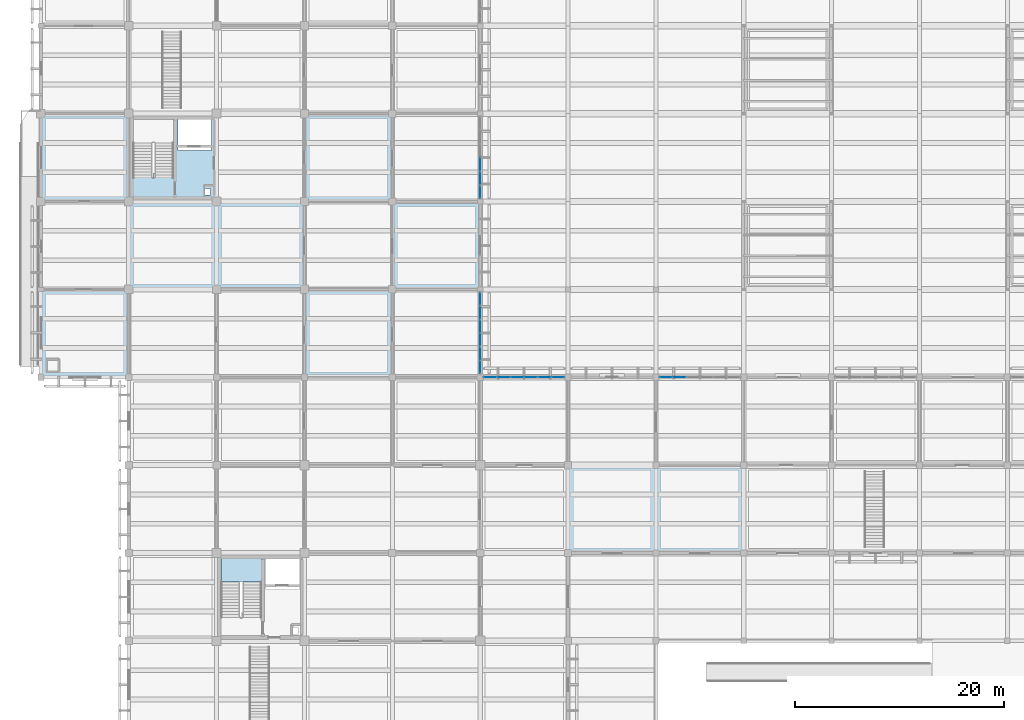
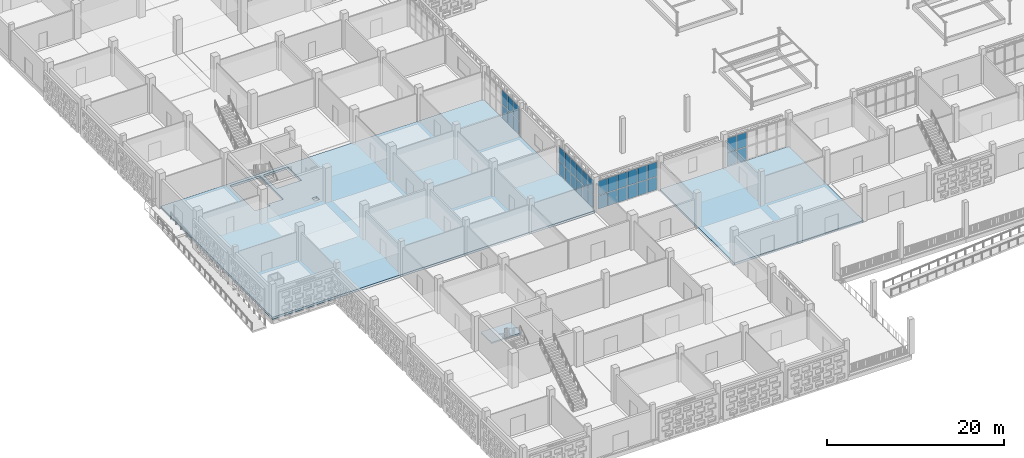
# One storey, part 45 of 129: 34 plates, 3 slabs, 5 elements without a shape of their own.
"""IFC4 building model written with IfcOpenShell, lengths in metres."""

from ifc_helpers import new_model, si_unit, direction, frame, origin, origin_2d, place, context, subcontext, project, spatial, polyline, rectangle, outline, extrude, material, layer, layer_set, type_object, element, aggregate, save


model = new_model("IFC4")

# Units and contexts
model_context = context("Model", 3, precision=1e-05, world=origin(), true_north=direction((0.0, 1.0)))
body_context = subcontext(model_context, "Body", "Model", "MODEL_VIEW")
ifc_project = project(units=[si_unit("LENGTHUNIT", "METRE"), si_unit("AREAUNIT", "SQUARE_METRE"), si_unit("VOLUMEUNIT", "CUBIC_METRE"), si_unit("PLANEANGLEUNIT", "RADIAN"), si_unit("MASSUNIT", "GRAM", prefix="KILO")], contexts=[model_context])

# Site, building, storey
site_placement = place(None, origin())
site = spatial("IfcSite", under=ifc_project, at=site_placement, CompositionType="ELEMENT")
building_placement = place(site_placement, origin())
building = spatial("IfcBuilding", under=site, at=building_placement, Name="Varnapada Polytechnic", CompositionType="ELEMENT")
storey_placement = place(building_placement, origin())
storey = spatial("IfcBuildingStorey", under=building, at=storey_placement, Name="L00", CompositionType="ELEMENT", Elevation=0.0)

# Curtain wall, plates
ifc_material_1 = material(Name="Double low-E laminated glass", Category="glass")
ifc_layer_1 = layer(ifc_material_1, 0.159912109375)
ifc_layer_set_1 = layer_set([ifc_layer_1], Name="Double low-E laminated glass")
curtain_wall_type = type_object("IfcCurtainWallType", Name="Curtain Wall CW-01", PredefinedType="NOTDEFINED", material=ifc_layer_set_1)
curtain_wall_1_placement = place(storey_placement, origin())
curtain_wall_1 = element("IfcCurtainWall", 1, at=curtain_wall_1_placement, inside=storey, type_object=curtain_wall_type, Name="L00 unitised curtain wall CW-01 (1)", PredefinedType="NOTDEFINED")
ifc_layer_2 = layer(ifc_material_1, 0.028076171875)
ifc_layer_set_2 = layer_set([ifc_layer_2], Name="Double low-E laminated glass")
plate_type = type_object("IfcPlateType", Name="Curtain Panel PNL-01", PredefinedType="CURTAIN_PANEL", material=ifc_layer_set_2)
plate_1_placement = place(storey_placement, frame((42.0, 49.480712890625, 0.06005859375), z_axis=(0.0, 0.0, 1.0), x_axis=(0.0, -1.0, 0.0)))
plate_1 = element("IfcPlate", 2, at=plate_1_placement, type_object=plate_type, Name="CW-01 panel 1.1", PredefinedType="CURTAIN_PANEL", context=body_context, shape_type="SweptSolid", body=[
    extrude(rectangle(XDim=1.21826171875, YDim=0.028076171875, at=origin_2d()), origin(), (0.0, 0.0, 1.0), 1.810791015625),
])
plate_2_placement = place(storey_placement, frame((42.0, 49.480712890625, 1.9306640625), z_axis=(0.0, 0.0, 1.0), x_axis=(0.0, -1.0, 0.0)))
plate_2 = element("IfcPlate", 3, at=plate_2_placement, type_object=plate_type, Name="CW-01 panel 1.2", PredefinedType="CURTAIN_PANEL", context=body_context, shape_type="SweptSolid", body=[
    extrude(rectangle(XDim=1.21826171875, YDim=0.028076171875, at=origin_2d()), origin(), (0.0, 0.0, 1.0), 1.96923828125),
])
plate_3_placement = place(storey_placement, frame((42.0, 48.1875, 0.06005859375), z_axis=(0.0, 0.0, 1.0), x_axis=(0.0, -1.0, 0.0)))
plate_3 = element("IfcPlate", 4, at=plate_3_placement, type_object=plate_type, Name="CW-01 panel 2.1", PredefinedType="CURTAIN_PANEL", context=body_context, shape_type="SweptSolid", body=[
    extrude(rectangle(XDim=1.248291015625, YDim=0.028076171875, at=origin_2d()), origin(), (0.0, 0.0, 1.0), 1.810791015625),
])
plate_4_placement = place(storey_placement, frame((42.0, 48.1875, 1.9306640625), z_axis=(0.0, 0.0, 1.0), x_axis=(0.0, -1.0, 0.0)))
plate_4 = element("IfcPlate", 5, at=plate_4_placement, type_object=plate_type, Name="CW-01 panel 2.2", PredefinedType="CURTAIN_PANEL", context=body_context, shape_type="SweptSolid", body=[
    extrude(rectangle(XDim=1.248291015625, YDim=0.028076171875, at=origin_2d()), origin(), (0.0, 0.0, 1.0), 1.96923828125),
])
plate_5_placement = place(storey_placement, frame((42.0, 46.879150390625, 0.06005859375), z_axis=(0.0, 0.0, 1.0), x_axis=(0.0, -1.0, 0.0)))
plate_5 = element("IfcPlate", 6, at=plate_5_placement, type_object=plate_type, Name="CW-01 panel 3.1", PredefinedType="CURTAIN_PANEL", context=body_context, shape_type="SweptSolid", body=[
    extrude(rectangle(XDim=1.248291015625, YDim=0.028076171875, at=origin_2d()), origin(), (0.0, 0.0, 1.0), 1.810791015625),
])
plate_6_placement = place(storey_placement, frame((42.0, 46.879150390625, 1.9306640625), z_axis=(0.0, 0.0, 1.0), x_axis=(0.0, -1.0, 0.0)))
plate_6 = element("IfcPlate", 7, at=plate_6_placement, type_object=plate_type, Name="CW-01 panel 3.2", PredefinedType="CURTAIN_PANEL", context=body_context, shape_type="SweptSolid", body=[
    extrude(rectangle(XDim=1.248291015625, YDim=0.028076171875, at=origin_2d()), origin(), (0.0, 0.0, 1.0), 1.96923828125),
])
plate_7_placement = place(storey_placement, frame((42.0, 45.57080078125, 0.06005859375), z_axis=(0.0, 0.0, 1.0), x_axis=(0.0, -1.0, 0.0)))
plate_7 = element("IfcPlate", 8, at=plate_7_placement, type_object=plate_type, Name="CW-01 panel 4.1", PredefinedType="CURTAIN_PANEL", context=body_context, shape_type="SweptSolid", body=[
    extrude(rectangle(XDim=1.248291015625, YDim=0.028076171875, at=origin_2d()), origin(), (0.0, 0.0, 1.0), 1.810791015625),
])
plate_8_placement = place(storey_placement, frame((42.0, 45.57080078125, 1.9306640625), z_axis=(0.0, 0.0, 1.0), x_axis=(0.0, -1.0, 0.0)))
plate_8 = element("IfcPlate", 9, at=plate_8_placement, type_object=plate_type, Name="CW-01 panel 4.2", PredefinedType="CURTAIN_PANEL", context=body_context, shape_type="SweptSolid", body=[
    extrude(rectangle(XDim=1.248291015625, YDim=0.028076171875, at=origin_2d()), origin(), (0.0, 0.0, 1.0), 1.96923828125),
])
plate_9_placement = place(storey_placement, frame((42.0, 44.262451171875, 0.06005859375), z_axis=(0.0, 0.0, 1.0), x_axis=(0.0, -1.0, 0.0)))
plate_9 = element("IfcPlate", 10, at=plate_9_placement, type_object=plate_type, Name="CW-01 panel 5.1", PredefinedType="CURTAIN_PANEL", context=body_context, shape_type="SweptSolid", body=[
    extrude(rectangle(XDim=1.248291015625, YDim=0.028076171875, at=origin_2d()), origin(), (0.0, 0.0, 1.0), 1.810791015625),
])
plate_10_placement = place(storey_placement, frame((42.0, 44.262451171875, 1.9306640625), z_axis=(0.0, 0.0, 1.0), x_axis=(0.0, -1.0, 0.0)))
plate_10 = element("IfcPlate", 11, at=plate_10_placement, type_object=plate_type, Name="CW-01 panel 5.2", PredefinedType="CURTAIN_PANEL", context=body_context, shape_type="SweptSolid", body=[
    extrude(rectangle(XDim=1.248291015625, YDim=0.028076171875, at=origin_2d()), origin(), (0.0, 0.0, 1.0), 1.96923828125),
])
plate_11_placement = place(storey_placement, frame((42.0, 42.96923828125, 0.06005859375), z_axis=(0.0, 0.0, 1.0), x_axis=(0.0, -1.0, 0.0)))
plate_11 = element("IfcPlate", 12, at=plate_11_placement, type_object=plate_type, Name="CW-01 panel 6.1", PredefinedType="CURTAIN_PANEL", context=body_context, shape_type="SweptSolid", body=[
    extrude(rectangle(XDim=1.21826171875, YDim=0.028076171875, at=origin_2d()), origin(), (0.0, 0.0, 1.0), 1.810791015625),
])
plate_12_placement = place(storey_placement, frame((42.0, 42.96923828125, 1.9306640625), z_axis=(0.0, 0.0, 1.0), x_axis=(0.0, -1.0, 0.0)))
plate_12 = element("IfcPlate", 13, at=plate_12_placement, type_object=plate_type, Name="CW-01 panel 6.2", PredefinedType="CURTAIN_PANEL", context=body_context, shape_type="SweptSolid", body=[
    extrude(rectangle(XDim=1.21826171875, YDim=0.028076171875, at=origin_2d()), origin(), (0.0, 0.0, 1.0), 1.96923828125),
])
aggregate(curtain_wall_1, [plate_1, plate_2, plate_3, plate_4, plate_5, plate_6, plate_7, plate_8, plate_9, plate_10, plate_11, plate_12])

curtain_wall_2_placement = place(storey_placement, origin())
curtain_wall_2 = element("IfcCurtainWall", 14, at=curtain_wall_2_placement, inside=storey, type_object=curtain_wall_type, Name="L00 unitised curtain wall CW-01 (2)", PredefinedType="NOTDEFINED")
plate_13_placement = place(storey_placement, frame((42.0, 62.341552734375, 0.06005859375), z_axis=(0.0, 0.0, 1.0), x_axis=(0.0, -1.0, 0.0)))
plate_13 = element("IfcPlate", 15, at=plate_13_placement, type_object=plate_type, Name="CW-01 panel 4.1", PredefinedType="CURTAIN_PANEL", context=body_context, shape_type="SweptSolid", body=[
    extrude(rectangle(XDim=1.256591796875, YDim=0.028076171875, at=origin_2d()), origin(), (0.0, 0.0, 1.0), 1.810791015625),
])
plate_14_placement = place(storey_placement, frame((42.0, 62.341552734375, 1.9306640625), z_axis=(0.0, 0.0, 1.0), x_axis=(0.0, -1.0, 0.0)))
plate_14 = element("IfcPlate", 16, at=plate_14_placement, type_object=plate_type, Name="CW-01 panel 4.2", PredefinedType="CURTAIN_PANEL", context=body_context, shape_type="SweptSolid", body=[
    extrude(rectangle(XDim=1.256591796875, YDim=0.028076171875, at=origin_2d()), origin(), (0.0, 0.0, 1.0), 1.96923828125),
])
plate_15_placement = place(storey_placement, frame((42.0, 61.02490234375, 0.06005859375), z_axis=(0.0, 0.0, 1.0), x_axis=(0.0, -1.0, 0.0)))
plate_15 = element("IfcPlate", 17, at=plate_15_placement, type_object=plate_type, Name="CW-01 panel 5.1", PredefinedType="CURTAIN_PANEL", context=body_context, shape_type="SweptSolid", body=[
    extrude(rectangle(XDim=1.256591796875, YDim=0.028076171875, at=origin_2d()), origin(), (0.0, 0.0, 1.0), 1.810791015625),
])
plate_16_placement = place(storey_placement, frame((42.0, 61.02490234375, 1.9306640625), z_axis=(0.0, 0.0, 1.0), x_axis=(0.0, -1.0, 0.0)))
plate_16 = element("IfcPlate", 18, at=plate_16_placement, type_object=plate_type, Name="CW-01 panel 5.2", PredefinedType="CURTAIN_PANEL", context=body_context, shape_type="SweptSolid", body=[
    extrude(rectangle(XDim=1.256591796875, YDim=0.028076171875, at=origin_2d()), origin(), (0.0, 0.0, 1.0), 1.96923828125),
])
plate_17_placement = place(storey_placement, frame((42.0, 59.723388671875, 0.06005859375), z_axis=(0.0, 0.0, 1.0), x_axis=(0.0, -1.0, 0.0)))
plate_17 = element("IfcPlate", 19, at=plate_17_placement, type_object=plate_type, Name="CW-01 panel 6.1", PredefinedType="CURTAIN_PANEL", context=body_context, shape_type="SweptSolid", body=[
    extrude(rectangle(XDim=1.2265625, YDim=0.028076171875, at=origin_2d()), origin(), (0.0, 0.0, 1.0), 1.810791015625),
])
plate_18_placement = place(storey_placement, frame((42.0, 59.723388671875, 1.9306640625), z_axis=(0.0, 0.0, 1.0), x_axis=(0.0, -1.0, 0.0)))
plate_18 = element("IfcPlate", 20, at=plate_18_placement, type_object=plate_type, Name="CW-01 panel 6.2", PredefinedType="CURTAIN_PANEL", context=body_context, shape_type="SweptSolid", body=[
    extrude(rectangle(XDim=1.2265625, YDim=0.028076171875, at=origin_2d()), origin(), (0.0, 0.0, 1.0), 1.96923828125),
])
aggregate(curtain_wall_2, [plate_13, plate_14, plate_15, plate_16, plate_17, plate_18])

curtain_wall_3_placement = place(storey_placement, origin())
curtain_wall_3 = element("IfcCurtainWall", 21, at=curtain_wall_3_placement, inside=storey, type_object=curtain_wall_type, Name="L00 unitised curtain wall CW-01 (4)", PredefinedType="NOTDEFINED")
plate_19_placement = place(storey_placement, frame((42.965087890625, 42.0, 0.06005859375), z_axis=(0.0, 0.0, 1.0), x_axis=(1.0, 0.0, 0.0)))
plate_19 = element("IfcPlate", 22, at=plate_19_placement, type_object=plate_type, Name="CW-01 panel 1.1", PredefinedType="CURTAIN_PANEL", context=body_context, shape_type="SweptSolid", body=[
    extrude(rectangle(XDim=1.2099609375, YDim=0.028076171875, at=origin_2d()), origin(), (0.0, 0.0, 1.0), 1.810791015625),
])
plate_20_placement = place(storey_placement, frame((42.965087890625, 42.0, 1.9306640625), z_axis=(0.0, 0.0, 1.0), x_axis=(1.0, 0.0, 0.0)))
plate_20 = element("IfcPlate", 23, at=plate_20_placement, type_object=plate_type, Name="CW-01 panel 1.2", PredefinedType="CURTAIN_PANEL", context=body_context, shape_type="SweptSolid", body=[
    extrude(rectangle(XDim=1.2099609375, YDim=0.028076171875, at=origin_2d()), origin(), (0.0, 0.0, 1.0), 1.96923828125),
])
plate_21_placement = place(storey_placement, frame((44.25, 42.0, 0.06005859375), z_axis=(0.0, 0.0, 1.0), x_axis=(1.0, 0.0, 0.0)))
plate_21 = element("IfcPlate", 24, at=plate_21_placement, type_object=plate_type, Name="CW-01 panel 2.1", PredefinedType="CURTAIN_PANEL", context=body_context, shape_type="SweptSolid", body=[
    extrude(rectangle(XDim=1.239990234375, YDim=0.028076171875, at=origin_2d()), origin(), (0.0, 0.0, 1.0), 1.810791015625),
])
plate_22_placement = place(storey_placement, frame((44.25, 42.0, 1.9306640625), z_axis=(0.0, 0.0, 1.0), x_axis=(1.0, 0.0, 0.0)))
plate_22 = element("IfcPlate", 25, at=plate_22_placement, type_object=plate_type, Name="CW-01 panel 2.2", PredefinedType="CURTAIN_PANEL", context=body_context, shape_type="SweptSolid", body=[
    extrude(rectangle(XDim=1.239990234375, YDim=0.028076171875, at=origin_2d()), origin(), (0.0, 0.0, 1.0), 1.96923828125),
])
plate_23_placement = place(storey_placement, frame((45.550048828125, 42.0, 0.06005859375), z_axis=(0.0, 0.0, 1.0), x_axis=(1.0, 0.0, 0.0)))
plate_23 = element("IfcPlate", 26, at=plate_23_placement, type_object=plate_type, Name="CW-01 panel 3.1", PredefinedType="CURTAIN_PANEL", context=body_context, shape_type="SweptSolid", body=[
    extrude(rectangle(XDim=1.239990234375, YDim=0.028076171875, at=origin_2d()), origin(), (0.0, 0.0, 1.0), 1.810791015625),
])
plate_24_placement = place(storey_placement, frame((45.550048828125, 42.0, 1.9306640625), z_axis=(0.0, 0.0, 1.0), x_axis=(1.0, 0.0, 0.0)))
plate_24 = element("IfcPlate", 27, at=plate_24_placement, type_object=plate_type, Name="CW-01 panel 3.2", PredefinedType="CURTAIN_PANEL", context=body_context, shape_type="SweptSolid", body=[
    extrude(rectangle(XDim=1.239990234375, YDim=0.028076171875, at=origin_2d()), origin(), (0.0, 0.0, 1.0), 1.96923828125),
])
plate_25_placement = place(storey_placement, frame((46.85009765625, 42.0, 0.06005859375), z_axis=(0.0, 0.0, 1.0), x_axis=(1.0, 0.0, 0.0)))
plate_25 = element("IfcPlate", 28, at=plate_25_placement, type_object=plate_type, Name="CW-01 panel 4.1", PredefinedType="CURTAIN_PANEL", context=body_context, shape_type="SweptSolid", body=[
    extrude(rectangle(XDim=1.239990234375, YDim=0.028076171875, at=origin_2d()), origin(), (0.0, 0.0, 1.0), 1.810791015625),
])
plate_26_placement = place(storey_placement, frame((46.85009765625, 42.0, 1.9306640625), z_axis=(0.0, 0.0, 1.0), x_axis=(1.0, 0.0, 0.0)))
plate_26 = element("IfcPlate", 29, at=plate_26_placement, type_object=plate_type, Name="CW-01 panel 4.2", PredefinedType="CURTAIN_PANEL", context=body_context, shape_type="SweptSolid", body=[
    extrude(rectangle(XDim=1.239990234375, YDim=0.028076171875, at=origin_2d()), origin(), (0.0, 0.0, 1.0), 1.96923828125),
])
plate_27_placement = place(storey_placement, frame((48.14990234375, 42.0, 0.06005859375), z_axis=(0.0, 0.0, 1.0), x_axis=(1.0, 0.0, 0.0)))
plate_27 = element("IfcPlate", 30, at=plate_27_placement, type_object=plate_type, Name="CW-01 panel 5.1", PredefinedType="CURTAIN_PANEL", context=body_context, shape_type="SweptSolid", body=[
    extrude(rectangle(XDim=1.239990234375, YDim=0.028076171875, at=origin_2d()), origin(), (0.0, 0.0, 1.0), 1.810791015625),
])
plate_28_placement = place(storey_placement, frame((48.14990234375, 42.0, 1.9306640625), z_axis=(0.0, 0.0, 1.0), x_axis=(1.0, 0.0, 0.0)))
plate_28 = element("IfcPlate", 31, at=plate_28_placement, type_object=plate_type, Name="CW-01 panel 5.2", PredefinedType="CURTAIN_PANEL", context=body_context, shape_type="SweptSolid", body=[
    extrude(rectangle(XDim=1.239990234375, YDim=0.028076171875, at=origin_2d()), origin(), (0.0, 0.0, 1.0), 1.96923828125),
])
plate_29_placement = place(storey_placement, frame((49.43505859375, 42.0, 0.06005859375), z_axis=(0.0, 0.0, 1.0), x_axis=(1.0, 0.0, 0.0)))
plate_29 = element("IfcPlate", 32, at=plate_29_placement, type_object=plate_type, Name="CW-01 panel 6.1", PredefinedType="CURTAIN_PANEL", context=body_context, shape_type="SweptSolid", body=[
    extrude(rectangle(XDim=1.2099609375, YDim=0.028076171875, at=origin_2d()), origin(), (0.0, 0.0, 1.0), 1.810791015625),
])
plate_30_placement = place(storey_placement, frame((49.43505859375, 42.0, 1.9306640625), z_axis=(0.0, 0.0, 1.0), x_axis=(1.0, 0.0, 0.0)))
plate_30 = element("IfcPlate", 33, at=plate_30_placement, type_object=plate_type, Name="CW-01 panel 6.2", PredefinedType="CURTAIN_PANEL", context=body_context, shape_type="SweptSolid", body=[
    extrude(rectangle(XDim=1.2099609375, YDim=0.028076171875, at=origin_2d()), origin(), (0.0, 0.0, 1.0), 1.96923828125),
])
aggregate(curtain_wall_3, [plate_19, plate_20, plate_21, plate_22, plate_23, plate_24, plate_25, plate_26, plate_27, plate_28, plate_29, plate_30])

curtain_wall_4_placement = place(storey_placement, origin())
curtain_wall_4 = element("IfcCurtainWall", 34, at=curtain_wall_4_placement, inside=storey, type_object=curtain_wall_type, Name="L00 unitised curtain wall CW-01 (6)", PredefinedType="NOTDEFINED")
plate_31_placement = place(storey_placement, frame((59.764892578125, 42.0, 0.06005859375), z_axis=(0.0, 0.0, 1.0), x_axis=(1.0, 0.0, 0.0)))
plate_31 = element("IfcPlate", 35, at=plate_31_placement, type_object=plate_type, Name="CW-01 panel 1.1", PredefinedType="CURTAIN_PANEL", context=body_context, shape_type="SweptSolid", body=[
    extrude(rectangle(XDim=1.2099609375, YDim=0.028076171875, at=origin_2d()), origin(), (0.0, 0.0, 1.0), 1.810791015625),
])
plate_32_placement = place(storey_placement, frame((59.764892578125, 42.0, 1.9306640625), z_axis=(0.0, 0.0, 1.0), x_axis=(1.0, 0.0, 0.0)))
plate_32 = element("IfcPlate", 36, at=plate_32_placement, type_object=plate_type, Name="CW-01 panel 1.2", PredefinedType="CURTAIN_PANEL", context=body_context, shape_type="SweptSolid", body=[
    extrude(rectangle(XDim=1.2099609375, YDim=0.028076171875, at=origin_2d()), origin(), (0.0, 0.0, 1.0), 1.96923828125),
])
plate_33_placement = place(storey_placement, frame((61.050048828125, 42.0, 0.06005859375), z_axis=(0.0, 0.0, 1.0), x_axis=(1.0, 0.0, 0.0)))
plate_33 = element("IfcPlate", 37, at=plate_33_placement, type_object=plate_type, Name="CW-01 panel 2.1", PredefinedType="CURTAIN_PANEL", context=body_context, shape_type="SweptSolid", body=[
    extrude(rectangle(XDim=1.239990234375, YDim=0.028076171875, at=origin_2d()), origin(), (0.0, 0.0, 1.0), 1.810791015625),
])
plate_34_placement = place(storey_placement, frame((61.050048828125, 42.0, 1.9306640625), z_axis=(0.0, 0.0, 1.0), x_axis=(1.0, 0.0, 0.0)))
plate_34 = element("IfcPlate", 38, at=plate_34_placement, type_object=plate_type, Name="CW-01 panel 2.2", PredefinedType="CURTAIN_PANEL", context=body_context, shape_type="SweptSolid", body=[
    extrude(rectangle(XDim=1.239990234375, YDim=0.028076171875, at=origin_2d()), origin(), (0.0, 0.0, 1.0), 1.96923828125),
])
aggregate(curtain_wall_4, [plate_31, plate_32, plate_33, plate_34])

# Slabs
ifc_material_2 = material(Name="Concrete C40/50", Category="concrete")
ifc_layer_3 = layer(ifc_material_2, 0.300048828125)
ifc_layer_set_3 = layer_set([ifc_layer_3], Name="Concrete C40/50")
slab_type_1 = type_object("IfcSlabType", Name="L00 interior flood-resilient podium slab SL-01", PredefinedType="FLOOR", material=ifc_layer_set_3)
slab_1_placement = place(storey_placement, frame((0.0, 0.0, -0.300048828125)))
element("IfcSlab", 39, at=slab_1_placement, inside=storey, type_object=slab_type_1, Name="L00 V4 slab 1.1", PredefinedType="FLOOR", context=body_context, shape_type="SweptSolid", body=[
    extrude(outline(polyline([(0.0, 58.800048828125), (0.0, 67.199951171875), (8.39990234375, 67.199951171875), (16.800048828125, 67.199951171875), (25.199951171875, 67.199951171875), (33.60009765625, 67.199951171875), (42.0, 67.199951171875), (42.0, 58.800048828125), (42.0, 50.39990234375), (42.0, 42.0), (33.60009765625, 42.0), (25.199951171875, 42.0), (16.800048828125, 42.0), (8.39990234375, 42.0), (0.0, 42.0), (0.0, 50.39990234375), (0.0, 58.800048828125)]), holes=[polyline([(8.800048828125, 61.110107421875), (10.75, 61.110107421875), (10.75, 61.510009765625), (12.699951171875, 61.510009765625), (12.699951171875, 66.800048828125), (8.800048828125, 66.800048828125), (8.800048828125, 61.110107421875)]), polyline([(13.10009765625, 63.699951171875), (16.300048828125, 63.699951171875), (16.300048828125, 66.75), (13.10009765625, 66.75), (13.10009765625, 63.699951171875)]), polyline([(15.550048828125, 59.419921875), (16.199951171875, 59.419921875), (16.199951171875, 60.070068359375), (15.550048828125, 60.070068359375), (15.550048828125, 59.419921875)])]), origin(), (0.0, 0.0, 1.0), 0.300048828125),
])
slab_2_placement = place(storey_placement, frame((0.0, 0.0, -0.300048828125)))
element("IfcSlab", 40, at=slab_2_placement, inside=storey, type_object=slab_type_1, Name="L00 V5 slab 1.1", PredefinedType="FLOOR", context=body_context, shape_type="SweptSolid", body=[
    extrude(outline(polyline([(50.39990234375, 33.60009765625), (50.39990234375, 42.0), (58.800048828125, 42.0), (67.199951171875, 42.0), (67.199951171875, 33.60009765625), (67.199951171875, 25.199951171875), (58.800048828125, 25.199951171875), (50.39990234375, 25.199951171875), (50.39990234375, 33.60009765625)])), origin(), (0.0, 0.0, 1.0), 0.300048828125),
])

# Stair, slab
stair_type = type_object("IfcStairType", Name="Core Exit Stair ST-A", PredefinedType="HALF_TURN_STAIR", material=ifc_material_2)
stair_placement = place(storey_placement, origin())
stair = element("IfcStair", 41, at=stair_placement, inside=storey, type_object=stair_type, Name="L00 Core C3 Exit Stair", PredefinedType="HALF_TURN_STAIR")
ifc_layer_4 = layer(ifc_material_2, 0.199951171875)
ifc_layer_set_4 = layer_set([ifc_layer_4], Name="Concrete C40/50")
slab_type_2 = type_object("IfcSlabType", Name="Stair Half Landing SLD-01", PredefinedType="LANDING", material=ifc_layer_set_4)
slab_3_placement = place(storey_placement, frame((0.0, 0.0, 2.199951171875)))
slab_3 = element("IfcSlab", 42, at=slab_3_placement, type_object=slab_type_2, Name="ST-3 landing 1", PredefinedType="LANDING", context=body_context, shape_type="SweptSolid", body=[
    extrude(outline(polyline([(21.10009765625, 22.409912109375), (21.10009765625, 24.800048828125), (17.199951171875, 24.800048828125), (17.199951171875, 22.409912109375), (21.10009765625, 22.409912109375)])), origin(), (0.0, 0.0, 1.0), 0.199951171875),
])
aggregate(stair, [slab_3])

save(model, "model.ifc")
